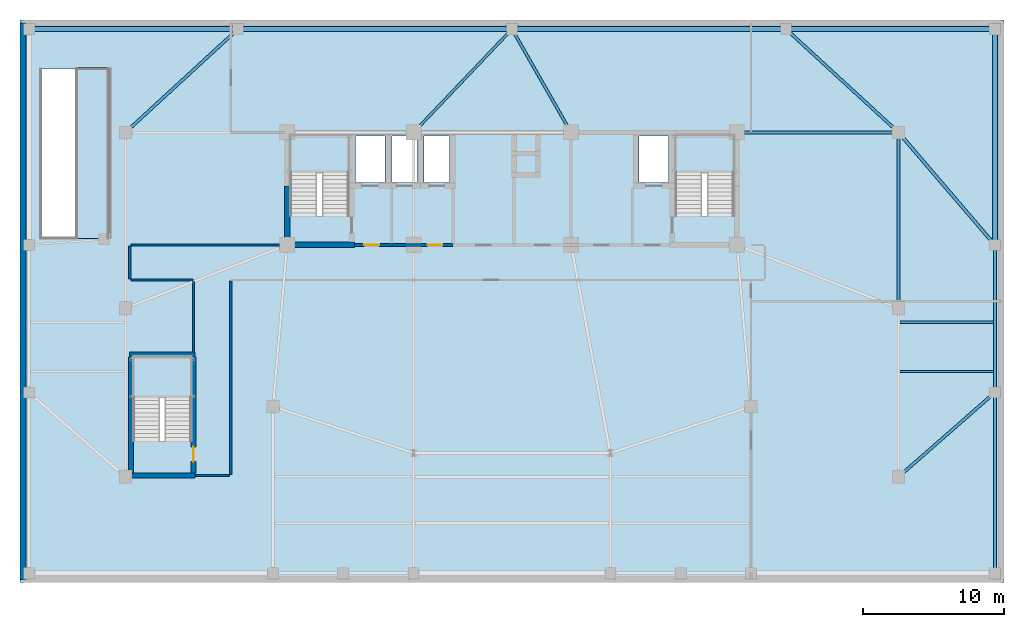
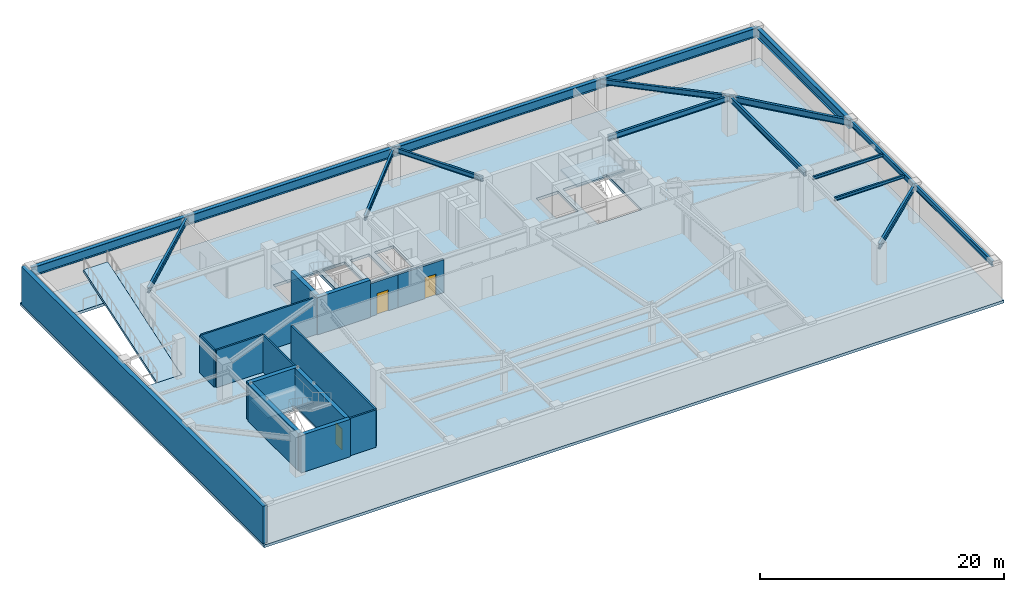
# One storey, part 3 of 8: 17 beams, 15 walls, 5 slabs, 3 doors, 3 openings, 3 elements without a shape of their own.
"""IFC4 building model written with IfcOpenShell, lengths in metres."""

from ifc_helpers import new_model, si_unit, direction, frame, frame_2d, origin, origin_2d, place, context, subcontext, project, spatial, polyline, rectangle, i_section, outline, extrude, source, transform, mapped, material, layer, layer_set, material_profile, profile_set, type_object, element, fill, aggregate, save


model = new_model("IFC4")

# Units and contexts
model_context = context("Model", 3, precision=1e-05, world=origin(), true_north=direction((0.0, 1.0)))
body_context = subcontext(model_context, "Body", "Model", "MODEL_VIEW")
ifc_project = project(units=[si_unit("LENGTHUNIT", "METRE"), si_unit("AREAUNIT", "SQUARE_METRE"), si_unit("VOLUMEUNIT", "CUBIC_METRE"), si_unit("PLANEANGLEUNIT", "RADIAN"), si_unit("MASSUNIT", "GRAM", prefix="KILO")], contexts=[model_context])

# Site, building, storey
site_placement = place(None, origin())
site = spatial("IfcSite", under=ifc_project, at=site_placement, CompositionType="ELEMENT")
building_placement = place(site_placement, origin())
building = spatial("IfcBuilding", under=site, at=building_placement, Name="Taldren Reach Tower", CompositionType="ELEMENT")
storey_placement = place(building_placement, frame((0.0, 0.0, -4.0)))
storey = spatial("IfcBuildingStorey", under=building, at=storey_placement, Name="B1", CompositionType="ELEMENT", Elevation=-4.0)

# Beams
ifc_material_1 = material(Name="Steel Gr 350 (350PLUS)", Category="steel")
ifc_material_profile_1 = material_profile(ifc_material_1, i_section(OverallWidth=0.35009765625, OverallDepth=0.916015625, WebThickness=0.013916015625, FlangeThickness=0.028076171875, at=origin_2d()), Name="900WB257")
ifc_profile_set_1 = profile_set([ifc_material_profile_1], Name="Steel Gr 350 (350PLUS)")
beam_type_1 = type_object("IfcBeamType", Name="BM-WB900", PredefinedType="BEAM", material=ifc_profile_set_1)
shared_shape_1 = source(origin(), body_context, "Body", "SweptSolid", [
    extrude(i_section(OverallWidth=0.35009765625, OverallDepth=0.916015625, WebThickness=0.013916015625, FlangeThickness=0.028076171875, at=origin_2d()), origin(), (0.0, 0.0, 1.0), 14.85009765625),
])
for number, where, z_axis, x_axis, name in (
    (1, (0.64990234375, 39.35009765625, 3.281982421875), (1.0, 0.0, 0.0), (0.0, 1.0, 0.0), "Podium girder B1-PD08"),
    (2, (54.5, 39.35009765625, 3.281982421875), (1.0, 0.0, 0.0), (0.0, 1.0, 0.0), "Podium girder B1-PD11"),
):
    element("IfcBeam", number, at=place(storey_placement, frame(where, z_axis=z_axis, x_axis=x_axis)), inside=storey, type_object=beam_type_1, Name=name, PredefinedType="BEAM", context=body_context, shape_type="MappedRepresentation", body=[
        mapped(shared_shape_1, transform((0.0, 0.0, 0.0), scale=1.0)),
    ])
shared_shape_2 = source(origin(), body_context, "Body", "SweptSolid", [
    extrude(i_section(OverallWidth=0.35009765625, OverallDepth=0.916015625, WebThickness=0.013916015625, FlangeThickness=0.028076171875, at=origin_2d()), origin(), (0.0, 0.0, 1.0), 19.5),
])
for number, where, z_axis, x_axis, name in (
    (3, (15.5, 39.35009765625, 3.281982421875), (1.0, 0.0, 0.0), (0.0, 1.0, 0.0), "Podium girder B1-PD09"),
    (4, (35.0, 39.35009765625, 3.281982421875), (1.0, 0.0, 0.0), (0.0, 1.0, 0.0), "Podium girder B1-PD10"),
):
    element("IfcBeam", number, at=place(storey_placement, frame(where, z_axis=z_axis, x_axis=x_axis)), inside=storey, type_object=beam_type_1, Name=name, PredefinedType="BEAM", context=body_context, shape_type="MappedRepresentation", body=[
        mapped(shared_shape_2, transform((0.0, 0.0, 0.0), scale=1.0)),
    ])
ifc_material_profile_2 = material_profile(ifc_material_1, i_section(OverallWidth=0.208984375, OverallDepth=0.528076171875, WebThickness=0.009521484375, FlangeThickness=0.01318359375, at=origin_2d()), Name="530UB82.0")
ifc_profile_set_2 = profile_set([ifc_material_profile_2], Name="Steel Gr 350 (350PLUS)")
beam_type_2 = type_object("IfcBeamType", Name="SP-UB530B", PredefinedType="SPANDREL", material=ifc_profile_set_2)
shared_shape_3 = source(origin(), body_context, "Body", "SweptSolid", [
    extrude(i_section(OverallWidth=0.208984375, OverallDepth=0.528076171875, WebThickness=0.009521484375, FlangeThickness=0.01318359375, at=origin_2d()), origin(), (0.0, 0.0, 1.0), 12.85009765625),
])
beam_1_placement = place(storey_placement, frame((69.35009765625, 0.64990234375, 3.47607421875), z_axis=(0.0, 1.0, 0.0), x_axis=(-1.0, 0.0, 0.0)))
element("IfcBeam", 5, at=beam_1_placement, inside=storey, type_object=beam_type_2, Name="Podium beam B1-PD15", PredefinedType="SPANDREL", context=body_context, shape_type="MappedRepresentation", body=[
    mapped(shared_shape_3, transform((0.0, 0.0, 0.0), scale=1.0)),
])
shared_shape_4 = source(origin(), body_context, "Body", "SweptSolid", [
    extrude(i_section(OverallWidth=0.208984375, OverallDepth=0.528076171875, WebThickness=0.009521484375, FlangeThickness=0.01318359375, at=origin_2d()), origin(), (0.0, 0.0, 1.0), 10.5),
])
beam_2_placement = place(storey_placement, frame((69.35009765625, 13.5, 3.47607421875), z_axis=(0.0, 1.0, 0.0), x_axis=(-1.0, 0.0, 0.0)))
element("IfcBeam", 6, at=beam_2_placement, inside=storey, type_object=beam_type_2, Name="Podium beam B1-PD16", PredefinedType="SPANDREL", context=body_context, shape_type="MappedRepresentation", body=[
    mapped(shared_shape_4, transform((0.0, 0.0, 0.0), scale=1.0)),
])
shared_shape_5 = source(origin(), body_context, "Body", "SweptSolid", [
    extrude(i_section(OverallWidth=0.35009765625, OverallDepth=0.916015625, WebThickness=0.013916015625, FlangeThickness=0.028076171875, at=origin_2d()), origin(), (0.0, 0.0, 1.0), 15.35009765625),
])
beam_3_placement = place(storey_placement, frame((69.35009765625, 24.0, 3.281982421875), z_axis=(0.0, 1.0, 0.0), x_axis=(-1.0, 0.0, 0.0)))
element("IfcBeam", 7, at=beam_3_placement, inside=storey, type_object=beam_type_1, Name="Podium girder B1-PD17", PredefinedType="BEAM", context=body_context, shape_type="MappedRepresentation", body=[
    mapped(shared_shape_5, transform((0.0, 0.0, 0.0), scale=1.0)),
])
ifc_material_profile_3 = material_profile(ifc_material_1, i_section(OverallWidth=0.208984375, OverallDepth=0.532958984375, WebThickness=0.01025390625, FlangeThickness=0.015625, at=origin_2d()), Name="530UB92.4")
ifc_profile_set_3 = profile_set([ifc_material_profile_3], Name="Steel Gr 350 (350PLUS)")
beam_type_3 = type_object("IfcBeamType", Name="BM-UB530A", PredefinedType="BEAM", material=ifc_profile_set_3)
shared_shape_6 = source(origin(), body_context, "Body", "SweptSolid", [
    extrude(i_section(OverallWidth=0.208984375, OverallDepth=0.532958984375, WebThickness=0.01025390625, FlangeThickness=0.015625, at=origin_2d()), origin(), (0.0, 0.0, 1.0), 9.106201171875),
])
beam_4_placement = place(storey_placement, frame((69.35009765625, 13.5, 3.473388671875), z_axis=(-0.75224111342, -0.658887932262, 0.0), x_axis=(0.658887932262, -0.75224111342, 0.0)))
element("IfcBeam", 8, at=beam_4_placement, inside=storey, type_object=beam_type_3, Name="Podium beam B1-PD26", PredefinedType="BEAM", context=body_context, shape_type="MappedRepresentation", body=[
    mapped(shared_shape_6, transform((0.0, 0.0, 0.0), scale=1.0)),
])
shared_shape_7 = source(origin(), body_context, "Body", "SweptSolid", [
    extrude(i_section(OverallWidth=0.208984375, OverallDepth=0.532958984375, WebThickness=0.01025390625, FlangeThickness=0.015625, at=origin_2d()), origin(), (0.0, 0.0, 1.0), 12.5),
])
beam_5_placement = place(storey_placement, frame((62.5, 19.5, 3.473388671875), z_axis=(0.0, 1.0, 0.0), x_axis=(-1.0, 0.0, 0.0)))
element("IfcBeam", 9, at=beam_5_placement, inside=storey, type_object=beam_type_3, Name="Podium beam B1-PD28", PredefinedType="BEAM", context=body_context, shape_type="MappedRepresentation", body=[
    mapped(shared_shape_7, transform((0.0, 0.0, 0.0), scale=1.0)),
])
shared_shape_8 = source(origin(), body_context, "Body", "SweptSolid", [
    extrude(i_section(OverallWidth=0.208984375, OverallDepth=0.532958984375, WebThickness=0.01025390625, FlangeThickness=0.015625, at=origin_2d()), origin(), (0.0, 0.0, 1.0), 10.86376953125),
])
for number, where, z_axis, x_axis, name in (
    (10, (7.5, 32.0, 3.473388671875), (0.736385012576, 0.676562719379, 0.0), (-0.676562719379, 0.736385012576, 0.0), "Podium beam B1-PD21"),
    (11, (62.5, 32.0, 3.473388671875), (-0.736385012576, 0.676562719379, 0.0), (-0.676562719379, -0.736385012576, 0.0), "Podium beam B1-PD29"),
):
    element("IfcBeam", number, at=place(storey_placement, frame(where, z_axis=z_axis, x_axis=x_axis)), inside=storey, type_object=beam_type_3, Name=name, PredefinedType="BEAM", context=body_context, shape_type="MappedRepresentation", body=[
        mapped(shared_shape_8, transform((0.0, 0.0, 0.0), scale=1.0)),
    ])
shared_shape_9 = source(origin(), body_context, "Body", "SweptSolid", [
    extrude(i_section(OverallWidth=0.208984375, OverallDepth=0.532958984375, WebThickness=0.01025390625, FlangeThickness=0.015625, at=origin_2d()), origin(), (0.0, 0.0, 1.0), 11.5),
])
beam_6_placement = place(storey_placement, frame((51.0, 32.0, 3.473388671875), z_axis=(1.0, 0.0, 0.0), x_axis=(0.0, 1.0, 0.0)))
element("IfcBeam", 12, at=beam_6_placement, inside=storey, type_object=beam_type_3, Name="Podium beam B1-PD33", PredefinedType="BEAM", context=body_context, shape_type="MappedRepresentation", body=[
    mapped(shared_shape_9, transform((0.0, 0.0, 0.0), scale=1.0)),
])
ifc_material_profile_4 = material_profile(ifc_material_1, i_section(OverallWidth=0.19091796875, OverallDepth=0.4599609375, WebThickness=0.010009765625, FlangeThickness=0.01611328125, at=origin_2d()), Name="460UB82.1")
ifc_profile_set_4 = profile_set([ifc_material_profile_4], Name="Steel Gr 350 (350PLUS)")
beam_type_4 = type_object("IfcBeamType", Name="BM-UB460A", PredefinedType="BEAM", material=ifc_profile_set_4)
shared_shape_10 = source(origin(), body_context, "Body", "SweptSolid", [
    extrude(i_section(OverallWidth=0.19091796875, OverallDepth=0.4599609375, WebThickness=0.010009765625, FlangeThickness=0.01611328125, at=origin_2d()), origin(), (0.0, 0.0, 1.0), 10.150146484375),
])
beam_7_placement = place(storey_placement, frame((28.0, 32.0, 3.510009765625), z_axis=(0.6896503675, 0.724142507113, 0.0), x_axis=(-0.724142507113, 0.6896503675, 0.0)))
element("IfcBeam", 13, at=beam_7_placement, inside=storey, type_object=beam_type_4, Name="Podium beam B1-PD34", PredefinedType="BEAM", context=body_context, shape_type="MappedRepresentation", body=[
    mapped(shared_shape_10, transform((0.0, 0.0, 0.0), scale=1.0)),
])
shared_shape_11 = source(origin(), body_context, "Body", "SweptSolid", [
    extrude(i_section(OverallWidth=0.19091796875, OverallDepth=0.4599609375, WebThickness=0.010009765625, FlangeThickness=0.01611328125, at=origin_2d()), origin(), (0.0, 0.0, 1.0), 8.46533203125),
])
beam_8_placement = place(storey_placement, frame((39.199951171875, 32.0, 3.510009765625), z_axis=(-0.496129620882, 0.86824846633, 0.0), x_axis=(-0.86824846633, -0.496129620882, 0.0)))
element("IfcBeam", 14, at=beam_8_placement, inside=storey, type_object=beam_type_4, Name="Podium beam B1-PD35", PredefinedType="BEAM", context=body_context, shape_type="MappedRepresentation", body=[
    mapped(shared_shape_11, transform((0.0, 0.0, 0.0), scale=1.0)),
])
ifc_material_2 = material(Name="Steel Gr 300 (300PLUS, 300 MPa)", Category="steel")
ifc_material_profile_5 = material_profile(ifc_material_2, i_section(OverallWidth=0.166015625, OverallDepth=0.306884765625, WebThickness=0.006591796875, FlangeThickness=0.01171875, at=origin_2d()), Name="310UB46.2")
ifc_profile_set_5 = profile_set([ifc_material_profile_5], Name="Steel Gr 300 (300PLUS, 300 MPa)")
beam_type_5 = type_object("IfcBeamType", Name="JS-UB310", PredefinedType="JOIST", material=ifc_profile_set_5)
shared_shape_12 = source(origin(), body_context, "Body", "SweptSolid", [
    extrude(i_section(OverallWidth=0.166015625, OverallDepth=0.306884765625, WebThickness=0.006591796875, FlangeThickness=0.01171875, at=origin_2d()), origin(), (0.0, 0.0, 1.0), 6.64111328125),
])
for number, where, z_axis, x_axis, name in (
    (15, (62.6044921875, 15.0, 3.58642578125), (1.0, 0.0, 0.0), (0.0, 1.0, 0.0), "Podium wing floor joist B1-3.2"),
    (16, (62.6044921875, 18.5, 3.58642578125), (1.0, 0.0, 0.0), (0.0, 1.0, 0.0), "Podium wing floor joist B1-4.2"),
):
    element("IfcBeam", number, at=place(storey_placement, frame(where, z_axis=z_axis, x_axis=x_axis)), inside=storey, type_object=beam_type_5, Name=name, PredefinedType="JOIST", context=body_context, shape_type="MappedRepresentation", body=[
        mapped(shared_shape_12, transform((0.0, 0.0, 0.0), scale=1.0)),
    ])
ifc_material_profile_6 = material_profile(ifc_material_1, i_section(OverallWidth=0.22900390625, OverallDepth=0.612060546875, WebThickness=0.011962890625, FlangeThickness=0.01953125, at=origin_2d()), Name="610UB125")
ifc_profile_set_6 = profile_set([ifc_material_profile_6], Name="Steel Gr 350 (350PLUS)")
beam_type_6 = type_object("IfcBeamType", Name="BM-UB610A", PredefinedType="BEAM", material=ifc_profile_set_6)
shared_shape_13 = source(origin(), body_context, "Body", "SweptSolid", [
    extrude(i_section(OverallWidth=0.22900390625, OverallDepth=0.612060546875, WebThickness=0.011962890625, FlangeThickness=0.01953125, at=origin_2d()), origin(), (0.0, 0.0, 1.0), 10.531982421875),
])
beam_9_placement = place(storey_placement, frame((62.5, 32.0, 3.43408203125), z_axis=(0.650405670814, -0.759587034758, 0.0), x_axis=(0.759587034758, 0.650405670814, 0.0)))
element("IfcBeam", 17, at=beam_9_placement, inside=storey, type_object=beam_type_6, Name="Service bay heavy portal lintel B1", PredefinedType="BEAM", context=body_context, shape_type="MappedRepresentation", body=[
    mapped(shared_shape_13, transform((0.0, 0.0, 0.0), scale=1.0)),
])

# Slab
ifc_material_3 = material(Name="Concrete S50 (50 MPa)", Category="concrete")
ifc_layer_1 = layer(ifc_material_3, 0.280029296875)
ifc_layer_set_1 = layer_set([ifc_layer_1], Name="Concrete S50 (50 MPa)")
slab_type_1 = type_object("IfcSlabType", Name="SL-FLR-280", PredefinedType="FLOOR", material=ifc_layer_set_1)
slab_1_placement = place(storey_placement, frame((0.0, 0.0, -0.280029296875)))
element("IfcSlab", 18, at=slab_1_placement, inside=storey, type_object=slab_type_1, Name="Suspended floor slab B1", PredefinedType="FLOOR", context=body_context, shape_type="SweptSolid", body=[
    extrude(outline(polyline([(0.0, 0.0), (70.0, 0.0), (70.0, 40.0), (0.0, 40.0), (0.0, 0.0)]), holes=[polyline([(19.219970703125, 26.050048828125), (23.3798828125, 26.050048828125), (23.3798828125, 31.820068359375), (19.219970703125, 31.820068359375), (19.219970703125, 26.050048828125)]), polyline([(46.6201171875, 26.050048828125), (50.780029296875, 26.050048828125), (50.780029296875, 31.820068359375), (46.6201171875, 31.820068359375), (46.6201171875, 26.050048828125)]), polyline([(8.050048828125, 10.050048828125), (12.18994140625, 10.050048828125), (12.18994140625, 16.080078125), (8.050048828125, 16.080078125), (8.050048828125, 10.050048828125)]), polyline([(1.5, 24.5), (6.39990234375, 24.5), (6.39990234375, 36.5), (1.5, 36.5), (1.5, 24.5)]), polyline([(23.85009765625, 28.449951171875), (25.949951171875, 28.449951171875), (25.949951171875, 31.75), (23.85009765625, 31.75), (23.85009765625, 28.449951171875)]), polyline([(44.050048828125, 28.449951171875), (46.14990234375, 28.449951171875), (46.14990234375, 31.75), (44.050048828125, 31.75), (44.050048828125, 28.449951171875)]), polyline([(26.449951171875, 28.449951171875), (28.25, 28.449951171875), (28.25, 31.75), (26.449951171875, 31.75), (26.449951171875, 28.449951171875)]), polyline([(28.75, 28.449951171875), (30.550048828125, 28.449951171875), (30.550048828125, 31.75), (28.75, 31.75), (28.75, 28.449951171875)])]), origin(), (0.0, 0.0, 1.0), 0.280029296875),
])

# Stair, slab
stair_type_1 = type_object("IfcStairType", Name="ST-HT-400", PredefinedType="HALF_TURN_STAIR", material=ifc_material_3)
stair_1_placement = place(storey_placement, origin())
stair_1 = element("IfcStair", 19, at=stair_1_placement, inside=storey, type_object=stair_type_1, Name="Fire-isolated exit stair ST1 B1", PredefinedType="HALF_TURN_STAIR")
ifc_layer_2 = layer(ifc_material_3, 0.179931640625)
ifc_layer_set_2 = layer_set([ifc_layer_2], Name="Concrete S50 (50 MPa)")
slab_type_2 = type_object("IfcSlabType", Name="SL-LAND-180", PredefinedType="LANDING", material=ifc_layer_set_2)
slab_2_placement = place(storey_placement, frame((0.0, 0.0, 1.820068359375)))
slab_2 = element("IfcSlab", 20, at=slab_2_placement, type_object=slab_type_2, Name="ST1 landing 1", PredefinedType="LANDING", context=body_context, shape_type="SweptSolid", body=[
    extrude(outline(polyline([(19.0400390625, 29.135009765625), (23.56005859375, 29.135009765625), (23.56005859375, 31.8701171875), (19.0400390625, 31.8701171875), (19.0400390625, 29.135009765625)])), origin(), (0.0, 0.0, 1.0), 0.179931640625),
])
aggregate(stair_1, [slab_2])

stair_2_placement = place(storey_placement, origin())
stair_2 = element("IfcStair", 21, at=stair_2_placement, inside=storey, type_object=stair_type_1, Name="Fire-isolated exit stair ST2 B1", PredefinedType="HALF_TURN_STAIR")
slab_3_placement = place(storey_placement, frame((0.0, 0.0, 1.820068359375)))
slab_3 = element("IfcSlab", 22, at=slab_3_placement, type_object=slab_type_2, Name="ST2 landing 1", PredefinedType="LANDING", context=body_context, shape_type="SweptSolid", body=[
    extrude(outline(polyline([(46.43994140625, 29.135009765625), (50.9599609375, 29.135009765625), (50.9599609375, 31.8701171875), (46.43994140625, 31.8701171875), (46.43994140625, 29.135009765625)])), origin(), (0.0, 0.0, 1.0), 0.179931640625),
])
aggregate(stair_2, [slab_3])

stair_type_2 = type_object("IfcStairType", Name="ST-HT-POD", PredefinedType="HALF_TURN_STAIR", material=ifc_material_3)
stair_3_placement = place(storey_placement, origin())
stair_3 = element("IfcStair", 23, at=stair_3_placement, inside=storey, type_object=stair_type_2, Name="Fire-isolated exit stair ST3 B1", PredefinedType="HALF_TURN_STAIR")
slab_4_placement = place(storey_placement, frame((0.0, 0.0, 1.820068359375)))
slab_4 = element("IfcSlab", 24, at=slab_4_placement, type_object=slab_type_2, Name="ST3 landing 1", PredefinedType="LANDING", context=body_context, shape_type="SweptSolid", body=[
    extrude(outline(polyline([(7.93994140625, 13.135009765625), (12.300048828125, 13.135009765625), (12.300048828125, 16.1298828125), (7.93994140625, 16.1298828125), (7.93994140625, 13.135009765625)])), origin(), (0.0, 0.0, 1.0), 0.179931640625),
])
aggregate(stair_3, [slab_4])

# Slab
ifc_layer_3 = layer(ifc_material_3, 0.25)
ifc_layer_set_3 = layer_set([ifc_layer_3], Name="Concrete S50 (50 MPa)")
slab_type_3 = type_object("IfcSlabType", Name="SL-RV2-250", PredefinedType="FLOOR", material=ifc_layer_set_3)
slab_5_placement = place(storey_placement, frame((4.0, 24.469970703125, 0.0), z_axis=(0.0, -0.314809387074, 0.949154913494), x_axis=(0.0, 0.949154913494, 0.314809387074)))
element("IfcSlab", 25, at=slab_5_placement, inside=storey, type_object=slab_type_3, Name="Vehicle ramp slab B1-to-L00", PredefinedType="FLOOR", context=body_context, shape_type="SweptSolid", body=[
    extrude(outline(polyline([(0.0, 0.0), (12.706101, 0.0), (12.706101, -2.300049), (0.0, -2.300049), (0.0, 0.0)])), origin(), (0.0, 0.0, -1.0), 0.25),
])

# Walls
ifc_layer_4 = layer(ifc_material_3, 0.4, Name="Concrete S50 (50 MPa)", Category="concrete")
ifc_material_4 = material(Name="SBS Waterproofing Membrane", Category="bitumen")
ifc_layer_5 = layer(ifc_material_4, 0.02, Name="SBS Waterproofing Membrane", Category="bitumen")
ifc_layer_set_4 = layer_set([ifc_layer_4, ifc_layer_5], Name="Concrete 50 MPa (S50) Retaining Wall with Waterproofing Membrane")
wall_type_1 = type_object("IfcWallType", Name="EW-RET-420", PredefinedType="SOLIDWALL", material=ifc_layer_set_4)
shared_shape_14 = source(origin(), body_context, "Body", "SweptSolid", [
    extrude(rectangle(XDim=39.580078125, YDim=0.419921875, at=frame_2d((19.7900390625, 0.0))), origin(), (0.0, 0.0, 1.0), 3.739990234375),
])
wall_1_placement = place(storey_placement, frame((0.2099609375, 39.7900390625, 0.0), z_axis=(0.0, 0.0, 1.0), x_axis=(0.0, -1.0, 0.0)))
element("IfcWall", 26, at=wall_1_placement, inside=storey, type_object=wall_type_1, Name="Basement diaphragm retaining wall B1-W", PredefinedType="SOLIDWALL", context=body_context, shape_type="MappedRepresentation", body=[
    mapped(shared_shape_14, transform((0.0, 0.0, 0.0), scale=1.0)),
])
ifc_material_5 = material(Name="Concrete S80 (80 MPa)", Category="concrete")
ifc_layer_6 = layer(ifc_material_5, 0.3798828125)
ifc_layer_set_5 = layer_set([ifc_layer_6], Name="Concrete S80 (80 MPa)")
wall_type_2 = type_object("IfcWallType", Name="IW-CORE-380", PredefinedType="SHEAR", material=ifc_layer_set_5)
shared_shape_15 = source(origin(), body_context, "Body", "SweptSolid", [
    extrude(rectangle(XDim=4.010009765625, YDim=0.3798828125, at=frame_2d((2.0048828125, 0.0))), origin(), (0.0, 0.0, 1.0), 3.739990234375),
])
wall_2_placement = place(storey_placement, frame((19.0, 24.18994140625, 0.0), z_axis=(0.0, 0.0, 1.0), x_axis=(0.0, 1.0, 0.0)))
element("IfcWall", 27, at=wall_2_placement, inside=storey, type_object=wall_type_2, Name="Rear Core Shear Wall W-CORE-B1-WEST1", PredefinedType="SHEAR", context=body_context, shape_type="MappedRepresentation", body=[
    mapped(shared_shape_15, transform((0.0, 0.0, 0.0), scale=1.0)),
])
shared_shape_16 = source(origin(), body_context, "Body", "SweptSolid", [
    extrude(rectangle(XDim=4.97998046875, YDim=0.3798828125, at=frame_2d((2.489990234375, 0.0))), origin(), (0.0, 0.0, 1.0), 3.739990234375),
])
wall_3_placement = place(storey_placement, frame((18.81005859375, 24.0, 0.0), z_axis=(0.0, 0.0, 1.0), x_axis=(1.0, 0.0, 0.0)))
element("IfcWall", 28, at=wall_3_placement, inside=storey, type_object=wall_type_2, Name="Rear Core Shear Wall W-INT-B1-003", PredefinedType="SHEAR", context=body_context, shape_type="MappedRepresentation", body=[
    mapped(shared_shape_16, transform((0.0, 0.0, 0.0), scale=1.0)),
])

# Wall, opening, door
ifc_layer_7 = layer(ifc_material_3, 0.199951171875)
ifc_layer_set_6 = layer_set([ifc_layer_7], Name="Concrete S50 (50 MPa)")
wall_type_3 = type_object("IfcWallType", Name="IW-CORE-200", PredefinedType="SOLIDWALL", material=ifc_layer_set_6)
shared_shape_17 = source(origin(), body_context, "Body", "SweptSolid", [
    extrude(rectangle(XDim=2.659912109375, YDim=0.199951171875, at=frame_2d((1.330078125, 0.0))), origin(), (0.0, 0.0, 1.0), 3.280029296875),
])
wall_4_placement = place(storey_placement, frame((23.7900390625, 24.0, 0.0), z_axis=(0.0, 0.0, 1.0), x_axis=(1.0, 0.0, 0.0)))
wall_4 = element("IfcWall", 29, at=wall_4_placement, inside=storey, type_object=wall_type_3, Name="Rear Core Shear Wall W-INT-B1-007", PredefinedType="SOLIDWALL", context=body_context, shape_type="MappedRepresentation", body=[
    mapped(shared_shape_17, transform((0.0, 0.0, 0.0), scale=1.0)),
])
shared_shape_18 = source(origin(), body_context, "Body", "SweptSolid", [
    extrude(rectangle(XDim=1.050048828125, YDim=2.10009765625, at=frame_2d((0.52490234375, 1.050048828125))), frame((0.0, 0.10986328125, 0.0), z_axis=(0.0, -1.0, 0.0), x_axis=(1.0, 0.0, 0.0)), (0.0, 0.0, 1.0), 0.219970703125),
])
opening_1_placement = place(wall_4_placement, frame((0.7099609375, 0.0, 0.0)))
opening_1 = element("IfcOpeningElement", 30, at=opening_1_placement, cuts=wall_4, Name="Opening DF-105", PredefinedType="OPENING", context=body_context, shape_type="MappedRepresentation", body=[
    mapped(shared_shape_18, transform((0.0, 0.0, 0.0), scale=1.0)),
])
ifc_material_6 = material(Name="Fire-Rated Care and Stair Exit Door")
door_type = type_object("IfcDoorType", Name="ID-FIRE-105", OperationType="NOTDEFINED", PredefinedType="DOOR", material=ifc_material_6)
shared_shape_19 = source(origin(), body_context, "Body", "SweptSolid", [
    extrude(rectangle(XDim=1.050048828125, YDim=2.10009765625, at=frame_2d((0.52490234375, 1.050048828125))), frame((0.0, 0.02490234375, 0.0), z_axis=(0.0, -1.0, 0.0), x_axis=(1.0, 0.0, 0.0)), (0.0, 0.0, 1.0), 0.050048828125),
])
door_1_placement = place(opening_1_placement, origin())
door_1 = element("IfcDoor", 31, at=door_1_placement, inside=storey, type_object=door_type, Name="Interior Door DR-B1-002", OperationType="SINGLE_SWING_LEFT", OverallHeight=2.10009765625, OverallWidth=1.050048828125, PredefinedType="DOOR", context=body_context, shape_type="MappedRepresentation", body=[
    mapped(shared_shape_19, transform((0.0, 0.0, 0.0), scale=1.0)),
])
fill(opening_1, door_1)

shared_shape_20 = source(origin(), body_context, "Body", "SweptSolid", [
    extrude(rectangle(XDim=4.35009765625, YDim=0.199951171875, at=frame_2d((2.175048828125, 0.0))), origin(), (0.0, 0.0, 1.0), 3.280029296875),
])
wall_5_placement = place(storey_placement, frame((30.800048828125, 24.0, 0.0), z_axis=(0.0, 0.0, 1.0), x_axis=(-1.0, 0.0, 0.0)))
wall_5 = element("IfcWall", 32, at=wall_5_placement, inside=storey, type_object=wall_type_3, Name="Rear Core Shear Wall W-INT-B1-026", PredefinedType="SOLIDWALL", context=body_context, shape_type="MappedRepresentation", body=[
    mapped(shared_shape_20, transform((0.0, 0.0, 0.0), scale=1.0)),
])
opening_2_placement = place(wall_5_placement, frame((0.75, 0.0, 0.0)))
opening_2 = element("IfcOpeningElement", 33, at=opening_2_placement, cuts=wall_5, Name="Opening DF-105", PredefinedType="OPENING", context=body_context, shape_type="MappedRepresentation", body=[
    mapped(shared_shape_18, transform((0.0, 0.0, 0.0), scale=1.0)),
])
door_2_placement = place(opening_2_placement, frame((1.050048828125, 0.0, 0.0), z_axis=(0.0, 0.0, 1.0), x_axis=(-1.0, 0.0, 0.0)))
door_2 = element("IfcDoor", 34, at=door_2_placement, inside=storey, type_object=door_type, Name="Interior Door DR-B1-005", OperationType="SINGLE_SWING_RIGHT", OverallHeight=2.10009765625, OverallWidth=1.050048828125, PredefinedType="DOOR", context=body_context, shape_type="MappedRepresentation", body=[
    mapped(shared_shape_19, transform((0.0, 0.0, 0.0), scale=1.0)),
])
fill(opening_2, door_2)

shared_shape_21 = source(origin(), body_context, "Body", "SweptSolid", [
    extrude(rectangle(XDim=8.219970703125, YDim=0.3798828125, at=frame_2d((4.10986328125, 0.0))), origin(), (0.0, 0.0, 1.0), 3.739990234375),
])
wall_6_placement = place(storey_placement, frame((12.340087890625, 16.010009765625, 0.0), z_axis=(0.0, 0.0, 1.0), x_axis=(0.0, -1.0, 0.0)))
wall_6 = element("IfcWall", 35, at=wall_6_placement, inside=storey, type_object=wall_type_2, Name="Rear Core Shear Wall W-INT-B1-032", PredefinedType="SHEAR", context=body_context, shape_type="MappedRepresentation", body=[
    mapped(shared_shape_21, transform((0.0, 0.0, 0.0), scale=1.0)),
])
shared_shape_22 = source(origin(), body_context, "Body", "SweptSolid", [
    extrude(rectangle(XDim=1.050048828125, YDim=2.10009765625, at=frame_2d((0.52490234375, 1.050048828125))), frame((0.0, 0.199951171875, 0.0), z_axis=(0.0, -1.0, 0.0), x_axis=(1.0, 0.0, 0.0)), (0.0, 0.0, 1.0), 0.39990234375),
])
opening_3_placement = place(wall_6_placement, frame((6.385009765625, 0.0, 0.0)))
opening_3 = element("IfcOpeningElement", 36, at=opening_3_placement, cuts=wall_6, Name="Opening DF-105", PredefinedType="OPENING", context=body_context, shape_type="MappedRepresentation", body=[
    mapped(shared_shape_22, transform((0.0, 0.0, 0.0), scale=1.0)),
])
door_3_placement = place(opening_3_placement, frame((1.050048828125, 0.0, 0.0), z_axis=(0.0, 0.0, 1.0), x_axis=(-1.0, 0.0, 0.0)))
door_3 = element("IfcDoor", 37, at=door_3_placement, inside=storey, type_object=door_type, Name="Fire Exit Stair Door DR-B1-009", OperationType="SINGLE_SWING_LEFT", OverallHeight=2.10009765625, OverallWidth=1.050048828125, PredefinedType="DOOR", context=body_context, shape_type="MappedRepresentation", body=[
    mapped(shared_shape_19, transform((0.0, 0.0, 0.0), scale=1.0)),
])
fill(opening_3, door_3)

# Walls
wall_7_placement = place(storey_placement, frame((7.89990234375, 7.7900390625, 0.0), z_axis=(0.0, 0.0, 1.0), x_axis=(0.0, 1.0, 0.0)))
element("IfcWall", 38, at=wall_7_placement, inside=storey, type_object=wall_type_2, Name="Rear Core Shear Wall W-INT-B1-033", PredefinedType="SHEAR", context=body_context, shape_type="MappedRepresentation", body=[
    mapped(shared_shape_21, transform((0.0, 0.0, 0.0), scale=1.0)),
])
shared_shape_23 = source(origin(), body_context, "Body", "SweptSolid", [
    extrude(rectangle(XDim=4.659912109375, YDim=0.3798828125, at=frame_2d((2.330078125, 0.0))), origin(), (0.0, 0.0, 1.0), 3.739990234375),
])
for number, where, z_axis, x_axis, name in (
    (39, (7.7900390625, 16.199951171875, 0.0), (0.0, 0.0, 1.0), (1.0, 0.0, 0.0), "Rear Core Shear Wall W-INT-B1-034"),
    (40, (12.449951171875, 7.60009765625, 0.0), (0.0, 0.0, 1.0), (-1.0, 0.0, 0.0), "Rear Core Shear Wall W-INT-B1-035"),
):
    element("IfcWall", number, at=place(storey_placement, frame(where, z_axis=z_axis, x_axis=x_axis)), inside=storey, type_object=wall_type_2, Name=name, PredefinedType="SHEAR", context=body_context, shape_type="MappedRepresentation", body=[
        mapped(shared_shape_23, transform((0.0, 0.0, 0.0), scale=1.0)),
    ])
ifc_material_7 = material(Name="Fire-Rated Acoustic Plasterboard Stud Wall", Category="gypsum")
ifc_layer_8 = layer(ifc_material_7, 0.159912109375)
ifc_layer_set_7 = layer_set([ifc_layer_8], Name="Fire-Rated Acoustic Plasterboard Stud Wall")
wall_type_4 = type_object("IfcWallType", Name="IW-FIRE-160", PredefinedType="PARTITIONING", material=ifc_layer_set_7)
shared_shape_24 = source(origin(), body_context, "Body", "SweptSolid", [
    extrude(rectangle(XDim=13.739990234375, YDim=0.159912109375, at=frame_2d((6.8701171875, 0.0))), origin(), (0.0, 0.0, 1.0), 3.739990234375),
])
wall_8_placement = place(storey_placement, frame((15.0, 21.419921875, 0.0), z_axis=(0.0, 0.0, 1.0), x_axis=(0.0, -1.0, 0.0)))
element("IfcWall", 41, at=wall_8_placement, inside=storey, type_object=wall_type_4, Name="Interior Partition Wall W-INT-B1-037", PredefinedType="PARTITIONING", context=body_context, shape_type="MappedRepresentation", body=[
    mapped(shared_shape_24, transform((0.0, 0.0, 0.0), scale=1.0)),
])
shared_shape_25 = source(origin(), body_context, "Body", "SweptSolid", [
    extrude(rectangle(XDim=10.93017578125, YDim=0.159912109375, at=frame_2d((5.465087890625, 0.0))), origin(), (0.0, 0.0, 1.0), 3.739990234375),
])
wall_9_placement = place(storey_placement, frame((7.8798828125, 24.0, 0.0), z_axis=(0.0, 0.0, 1.0), x_axis=(1.0, 0.0, 0.0)))
element("IfcWall", 42, at=wall_9_placement, inside=storey, type_object=wall_type_4, Name="Interior Partition Wall W-INT-B1-038", PredefinedType="PARTITIONING", context=body_context, shape_type="MappedRepresentation", body=[
    mapped(shared_shape_25, transform((0.0, 0.0, 0.0), scale=1.0)),
])
shared_shape_26 = source(origin(), body_context, "Body", "SweptSolid", [
    extrude(rectangle(XDim=5.030029296875, YDim=0.159912109375, at=frame_2d((2.51513671875, 0.0))), origin(), (0.0, 0.0, 1.0), 3.739990234375),
])
wall_10_placement = place(storey_placement, frame((12.340087890625, 16.389892578125, 0.0), z_axis=(0.0, 0.0, 1.0), x_axis=(0.0, 1.0, 0.0)))
element("IfcWall", 43, at=wall_10_placement, inside=storey, type_object=wall_type_4, Name="Interior Partition Wall W-INT-B1-039", PredefinedType="PARTITIONING", context=body_context, shape_type="MappedRepresentation", body=[
    mapped(shared_shape_26, transform((0.0, 0.0, 0.0), scale=1.0)),
])
shared_shape_27 = source(origin(), body_context, "Body", "SweptSolid", [
    extrude(rectangle(XDim=4.43994140625, YDim=0.159912109375, at=frame_2d((2.219970703125, 0.0))), origin(), (0.0, 0.0, 1.0), 3.739990234375),
])
wall_11_placement = place(storey_placement, frame((12.31982421875, 21.5, 0.0), z_axis=(0.0, 0.0, 1.0), x_axis=(-1.0, 0.0, 0.0)))
element("IfcWall", 44, at=wall_11_placement, inside=storey, type_object=wall_type_4, Name="Interior Partition Wall W-INT-B1-040", PredefinedType="PARTITIONING", context=body_context, shape_type="MappedRepresentation", body=[
    mapped(shared_shape_27, transform((0.0, 0.0, 0.0), scale=1.0)),
])
shared_shape_28 = source(origin(), body_context, "Body", "SweptSolid", [
    extrude(rectangle(XDim=2.469970703125, YDim=0.159912109375, at=frame_2d((1.23486328125, 0.0))), origin(), (0.0, 0.0, 1.0), 3.739990234375),
])
wall_12_placement = place(storey_placement, frame((14.919921875, 7.60009765625, 0.0), z_axis=(0.0, 0.0, 1.0), x_axis=(-1.0, 0.0, 0.0)))
element("IfcWall", 45, at=wall_12_placement, inside=storey, type_object=wall_type_4, Name="Interior Partition Wall W-INT-B1-041", PredefinedType="PARTITIONING", context=body_context, shape_type="MappedRepresentation", body=[
    mapped(shared_shape_28, transform((0.0, 0.0, 0.0), scale=1.0)),
])
shared_shape_29 = source(origin(), body_context, "Body", "SweptSolid", [
    extrude(rectangle(XDim=2.33984375, YDim=0.159912109375, at=frame_2d((1.169921875, 0.0))), origin(), (0.0, 0.0, 1.0), 3.739990234375),
])
wall_13_placement = place(storey_placement, frame((7.800048828125, 21.580078125, 0.0), z_axis=(0.0, 0.0, 1.0), x_axis=(0.0, 1.0, 0.0)))
element("IfcWall", 46, at=wall_13_placement, inside=storey, type_object=wall_type_4, Name="Interior Partition Wall W-INT-B1-042", PredefinedType="PARTITIONING", context=body_context, shape_type="MappedRepresentation", body=[
    mapped(shared_shape_29, transform((0.0, 0.0, 0.0), scale=1.0)),
])

save(model, "model.ifc")
